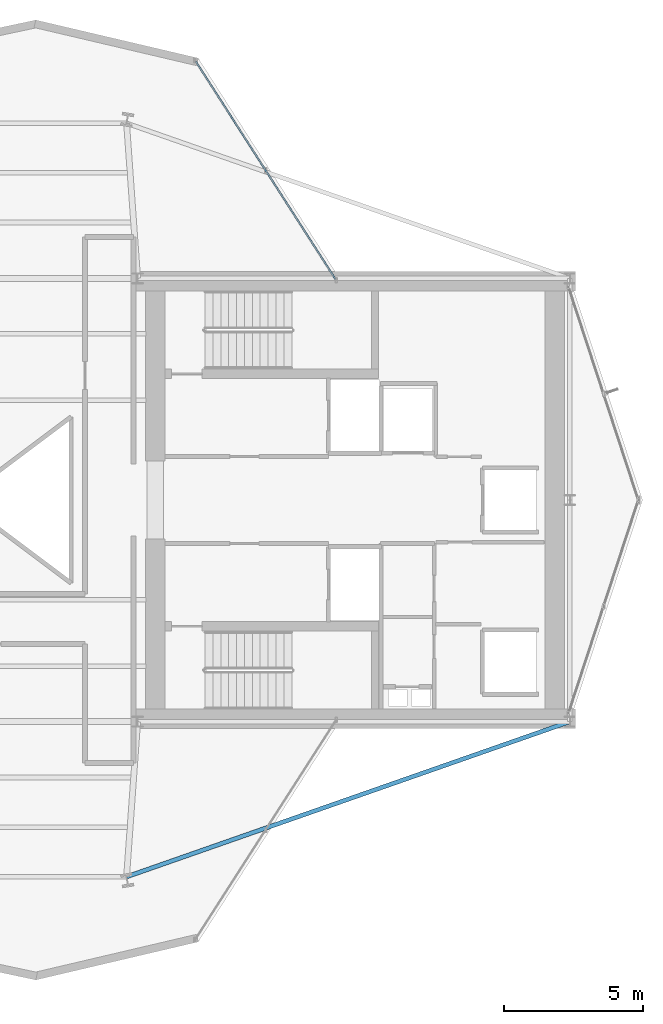
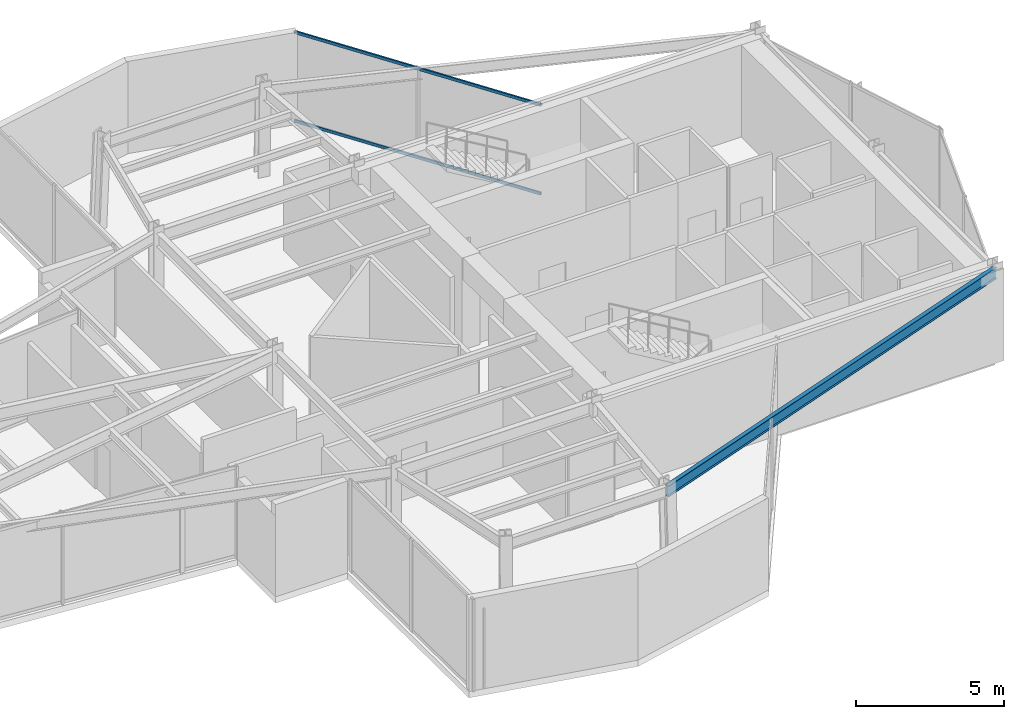
# One storey, part 13 of 23: 2 members, 1 beam, 1 element without a shape of its own.
"""IFC4 building model written with IfcOpenShell, lengths in metres."""

import ifcopenshell
import ifcopenshell.guid

model = None  # the IFC model being written
_history = None  # IfcOwnerHistory: only IFC2X3 demands one
_inside = {}  # id of a spatial element -> (the spatial element, [elements in it])
_under = {}  # id of a project, library or spatial element -> (it, [spatial elements below it])
_declared = {}  # id of a project -> (the project, [libraries it declares])
_typed = {}  # id of a type object -> (the type object, [elements of that type])
_made_of = {}  # id of a material, layer set ... -> (it, [elements and type objects made of it])


def new_model(schema):
    """Start an empty IFC model of exactly this schema.

    Asked for "IFC4X3", IfcOpenShell would pick the latest addendum, in which some entities
    have other attributes; the version numbers below select the first issue.
    IFC2X3 requires an IfcOwnerHistory on every rooted entity: one is made here for all.
    """
    global model, _history
    if schema == "IFC4X3":
        model = ifcopenshell.file(schema_version=(4, 3, 0, 0))
    else:
        model = ifcopenshell.file(schema=schema)
    _inside.clear()
    _under.clear()
    _declared.clear()
    _typed.clear()
    _made_of.clear()
    _history = None
    if model.schema == "IFC2X3":
        org = make("IfcOrganization", Name="unknown")
        user = make(
            "IfcPersonAndOrganization",
            ThePerson=make("IfcPerson", FamilyName="unknown"),
            TheOrganization=org,
        )
        app = make(
            "IfcApplication",
            ApplicationDeveloper=org,
            Version="unknown",
            ApplicationFullName="unknown",
            ApplicationIdentifier="unknown",
        )
        _history = make(
            "IfcOwnerHistory",
            OwningUser=user,
            OwningApplication=app,
            ChangeAction="ADDED",
            CreationDate=0,
        )
    return model


def make(cls, **values):
    """One entity of the class cls with the attributes given. An attribute that is None is left unset."""
    return model.create_entity(
        cls, **{name: value for name, value in values.items() if value is not None}
    )


def rooted(cls, **values):
    """An entity with a GlobalId (a new one), such as an element, a storey or a relation."""
    return make(cls, GlobalId=ifcopenshell.guid.new(), OwnerHistory=_history, **values)


def si_unit(unit_type, name, prefix=None):
    """IfcSIUnit, for example si_unit("LENGTHUNIT", "METRE", prefix="MILLI")."""
    return make("IfcSIUnit", UnitType=unit_type, Prefix=prefix, Name=name)


def assignment(units):
    """IfcUnitAssignment: the units of a project."""
    return None if units is None else make("IfcUnitAssignment", Units=units)


def point(xyz):
    """IfcCartesianPoint."""
    return None if xyz is None else make("IfcCartesianPoint", Coordinates=xyz)


def direction(xyz):
    """IfcDirection."""
    return None if xyz is None else make("IfcDirection", DirectionRatios=xyz)


def frame(location, z_axis=None, x_axis=None):
    """IfcAxis2Placement3D, a coordinate frame: its origin and axes. An axis left out is left unset."""
    return make(
        "IfcAxis2Placement3D",
        Location=point(location),
        Axis=direction(z_axis),
        RefDirection=direction(x_axis),
    )


def frame_2d(location, x_axis=None):
    """IfcAxis2Placement2D, a coordinate frame in the plane: its origin and x axis."""
    return make(
        "IfcAxis2Placement2D", Location=point(location), RefDirection=direction(x_axis)
    )


def origin():
    """The frame at (0, 0, 0) with its axes left unset."""
    return frame((0.0, 0.0, 0.0))


def origin_2d():
    """The frame at (0, 0) in the plane with its x axis left unset."""
    return frame_2d((0.0, 0.0))


def place(relative_to, where):
    """IfcLocalPlacement: puts the frame where relative to a parent placement (None: the world)."""
    return make(
        "IfcLocalPlacement", PlacementRelTo=relative_to, RelativePlacement=where
    )


def context(
    kind, dimensions, precision=None, world=None, true_north=None, identifier=None
):
    """IfcGeometricRepresentationContext, for example the 3D "Model" context."""
    return make(
        "IfcGeometricRepresentationContext",
        ContextIdentifier=identifier,
        ContextType=kind,
        CoordinateSpaceDimension=dimensions,
        Precision=precision,
        WorldCoordinateSystem=world,
        TrueNorth=true_north,
    )


def subcontext(parent, identifier, kind, view, scale=None):
    """IfcGeometricRepresentationSubContext, for example "Body" below "Model"."""
    return make(
        "IfcGeometricRepresentationSubContext",
        ContextIdentifier=identifier,
        ContextType=kind,
        ParentContext=parent,
        TargetScale=scale,
        TargetView=view,
    )


def project(units=None, contexts=None):
    """IfcProject with its units and contexts."""
    return rooted(
        "IfcProject",
        Name="project",
        RepresentationContexts=contexts,
        UnitsInContext=assignment(units),
    )


def spatial(cls, under=None, at=None, **own):
    """A site, building, storey or space (cls), placed at a placement, below another one or the project."""
    s = rooted(cls, ObjectPlacement=at, **own)
    if under is not None:
        _under.setdefault(under.id(), (under, []))[1].append(s)
    return s


def profile(cls, at=None, kind="AREA", **sizes):
    """A parametric profile (cls). Its sizes go by their IFC names, for example OverallWidth=200.0."""
    return make(cls, ProfileType=kind, Position=at, **sizes)


def hollow_rectangle(**sizes):
    """IfcRectangleHollowProfileDef."""
    return profile("IfcRectangleHollowProfileDef", **sizes)


def i_section(**sizes):
    """IfcIShapeProfileDef."""
    return profile("IfcIShapeProfileDef", **sizes)


def extrude(swept, where, along, depth):
    """IfcExtrudedAreaSolid: the profile swept, set in the frame where, extruded along a direction by depth."""
    return make(
        "IfcExtrudedAreaSolid",
        SweptArea=swept,
        Position=where,
        ExtrudedDirection=direction(along),
        Depth=depth,
    )


def shape(context_of_items, identifier, shape_type, items):
    """IfcShapeRepresentation: the items that make up one representation, for example the "Body"."""
    return make(
        "IfcShapeRepresentation",
        ContextOfItems=context_of_items,
        RepresentationIdentifier=identifier,
        RepresentationType=shape_type,
        Items=items,
    )


def material(Name=None, Category=None):
    """IfcMaterial."""
    return make("IfcMaterial", Name=Name, Category=Category)


def layer(
    of_material, thickness, ventilated=None, Name=None, Category=None, Priority=None
):
    """IfcMaterialLayer: one layer of a wall or slab, of a material (None: an air gap)."""
    return make(
        "IfcMaterialLayer",
        Material=of_material,
        LayerThickness=thickness,
        IsVentilated=ventilated,
        Name=Name,
        Category=Category,
        Priority=Priority,
    )


def layer_set(layers, Name=None):
    """IfcMaterialLayerSet."""
    return make("IfcMaterialLayerSet", MaterialLayers=layers, LayerSetName=Name)


def material_profile(
    of_material, cross_section, Name=None, Category=None, Priority=None
):
    """IfcMaterialProfile: a cross section and its material."""
    return make(
        "IfcMaterialProfile",
        Name=Name,
        Material=of_material,
        Profile=cross_section,
        Priority=Priority,
        Category=Category,
    )


def profile_set(profiles, Name=None, composite=None):
    """IfcMaterialProfileSet."""
    return make(
        "IfcMaterialProfileSet",
        Name=Name,
        MaterialProfiles=profiles,
        CompositeProfile=composite,
    )


def made_of(thing, what):
    """Note that an element or type object is made of a material, layer set ...; save() writes the relation."""
    if what is not None:
        _made_of.setdefault(what.id(), (what, []))[1].append(thing)
    return thing


def type_object(cls, material=None, **own):
    """A type object (cls), such as IfcWallType, which elements share."""
    return made_of(rooted(cls, **own), material)


def element(
    cls,
    number,
    at=None,
    inside=None,
    cuts=None,
    type_object=None,
    material=None,
    context=None,
    identifier="Body",
    shape_type=None,
    held_by="IfcProductDefinitionShape",
    body=None,
    shapes=None,
    **own,
):
    """One element of the class cls, such as IfcWall. Its Tag is "e" and its number.

    at: its placement. inside: the storey or other place that contains it. cuts: it is an
    opening in that element (IfcRelVoidsElement). A single representation is given by context,
    identifier, shape_type and body (its items); several are given by shapes. held_by: the class
    of the entity that holds the representations. save() writes the other relations.
    """
    e = rooted(cls, Tag="e%d" % number, ObjectPlacement=at, **own)
    if body is not None:
        shapes = [shape(context, identifier, shape_type, body)]
    if shapes is not None:
        e.Representation = make(held_by, Representations=shapes)
    if inside is not None:
        _inside.setdefault(inside.id(), (inside, []))[1].append(e)
    if cuts is not None:
        rooted(
            "IfcRelVoidsElement", RelatingBuildingElement=cuts, RelatedOpeningElement=e
        )
    if type_object is not None:
        _typed.setdefault(type_object.id(), (type_object, []))[1].append(e)
    return made_of(e, material)


def aggregate(whole, parts):
    """IfcRelAggregates: a whole, such as a stair, and the parts it consists of."""
    return rooted("IfcRelAggregates", RelatingObject=whole, RelatedObjects=parts)


def save(model, path):
    """Write the relations noted so far, then the file.

    IfcRelAggregates (storeys below a building ...), IfcRelContainedInSpatialStructure (elements
    in a storey), IfcRelDefinesByType, IfcRelAssociatesMaterial and IfcRelDeclares: one each for
    every whole, place, type object, material and project.
    """
    for whole, parts in _under.values():
        aggregate(whole, parts)
    for where, things in _inside.values():
        rooted(
            "IfcRelContainedInSpatialStructure",
            RelatedElements=things,
            RelatingStructure=where,
        )
    for kind, things in _typed.values():
        rooted("IfcRelDefinesByType", RelatedObjects=things, RelatingType=kind)
    for what, things in _made_of.values():
        rooted("IfcRelAssociatesMaterial", RelatedObjects=things, RelatingMaterial=what)
    for by, libraries in _declared.values():
        rooted("IfcRelDeclares", RelatingContext=by, RelatedDefinitions=libraries)
    model.write(path)


model = new_model("IFC4")

# Units and contexts
model_context = context("Model", 3, precision=1e-05, world=origin(), true_north=direction((0.0, 1.0)))
body_context = subcontext(model_context, "Body", "Model", "MODEL_VIEW")
ifc_project = project(units=[si_unit("LENGTHUNIT", "METRE"), si_unit("AREAUNIT", "SQUARE_METRE"), si_unit("VOLUMEUNIT", "CUBIC_METRE"), si_unit("PLANEANGLEUNIT", "RADIAN"), si_unit("MASSUNIT", "GRAM", prefix="KILO")], contexts=[model_context])

# Site, building, storey
site_placement = place(None, origin())
site = spatial("IfcSite", under=ifc_project, at=site_placement, CompositionType="ELEMENT")
building_placement = place(site_placement, origin())
building = spatial("IfcBuilding", under=site, at=building_placement, Name="Veymaron Broadcast Tower", CompositionType="ELEMENT")
storey_placement = place(building_placement, frame((0.0, 0.0, 199.949951171875)))
storey = spatial("IfcBuildingStorey", under=building, at=storey_placement, Name="L46", CompositionType="ELEMENT", Elevation=199.949951171875)

# Beam
ifc_material_1 = material(Name="Structural steel ASTM A992 Gr 50", Category="steel")
ifc_material_profile_1 = material_profile(ifc_material_1, i_section(OverallWidth=0.154052734375, OverallDepth=0.458984375, WebThickness=0.009033203125, FlangeThickness=0.015380859375, at=origin_2d()), Name="W460X68")
ifc_profile_set_1 = profile_set([ifc_material_profile_1], Name="Structural steel ASTM A992 Gr 50")
beam_type = type_object("IfcBeamType", Name="BM-SP2", PredefinedType="SPANDREL", material=ifc_profile_set_1)
beam_placement = place(storey_placement, frame((54.60009765625, 16.0, 3.560546875), z_axis=(-0.943856560098, -0.330355556878, 0.0), x_axis=(0.330355556878, -0.943856560098, 0.0)))
element("IfcBeam", 1, at=beam_placement, inside=storey, type_object=beam_type, Name="L46 primary structural floor girder", PredefinedType="SPANDREL", context=body_context, shape_type="SweptSolid", body=[
    extrude(i_section(OverallWidth=0.154052734375, OverallDepth=0.458984375, WebThickness=0.009033203125, FlangeThickness=0.015380859375, at=origin_2d()), origin(), (0.0, 0.0, 1.0), 16.95166015625),
])

# Curtain wall, members
ifc_material_2 = material(Name="Anodised aluminium AA 6063-T6 and laminated low-E dark glass", Category="aluminium")
ifc_layer = layer(ifc_material_2, 0.179931640625)
ifc_layer_set = layer_set([ifc_layer], Name="Anodised aluminium AA 6063-T6 and laminated low-E dark glass")
curtain_wall_type = type_object("IfcCurtainWallType", Name="CW-SYS-05", PredefinedType="NOTDEFINED", material=ifc_layer_set)
curtain_wall_placement = place(storey_placement, origin())
curtain_wall = element("IfcCurtainWall", 2, at=curtain_wall_placement, inside=storey, type_object=curtain_wall_type, Name="L46 dark-glass curtain wall CW-L46-E5-1", PredefinedType="NOTDEFINED")
ifc_material_3 = material(Name="Anodised aluminium AA 6063-T6", Category="aluminium")
ifc_material_profile_2 = material_profile(ifc_material_3, hollow_rectangle(XDim=0.06005859375, YDim=0.1201171875, WallThickness=0.00390625, at=origin_2d()), Name="AL120X60X4")
ifc_profile_set_2 = profile_set([ifc_material_profile_2], Name="Anodised aluminium AA 6063-T6")
member_type = type_object("IfcMemberType", Name="CW-TRN-02", PredefinedType="USERDEFINED", material=ifc_profile_set_2)
member_1_placement = place(storey_placement, frame((46.14208984375, 31.966552734375, 0.070068359375), z_axis=(-0.539970408513, 0.841684001232, 0.0), x_axis=(-0.841684001232, -0.539970408513, 0.0)))
member_1 = element("IfcMember", 3, at=member_1_placement, type_object=member_type, Name="CW-L46-E5-1 transom B", ObjectType="TRANSOM", PredefinedType="USERDEFINED", context=body_context, shape_type="SweptSolid", body=[
    extrude(hollow_rectangle(XDim=0.06005859375, YDim=0.1201171875, WallThickness=0.00390625, at=origin_2d()), origin(), (0.0, 0.0, 1.0), 9.34521484375),
])
member_2_placement = place(storey_placement, frame((46.14208984375, 31.966552734375, 3.719970703125), z_axis=(-0.539970408513, 0.841684001232, 0.0), x_axis=(-0.841684001232, -0.539970408513, 0.0)))
member_2 = element("IfcMember", 4, at=member_2_placement, type_object=member_type, Name="CW-L46-E5-1 transom T", ObjectType="TRANSOM", PredefinedType="USERDEFINED", context=body_context, shape_type="SweptSolid", body=[
    extrude(hollow_rectangle(XDim=0.06005859375, YDim=0.1201171875, WallThickness=0.00390625, at=origin_2d()), origin(), (0.0, 0.0, 1.0), 9.34521484375),
])
aggregate(curtain_wall, [member_1, member_2])

save(model, "model.ifc")
